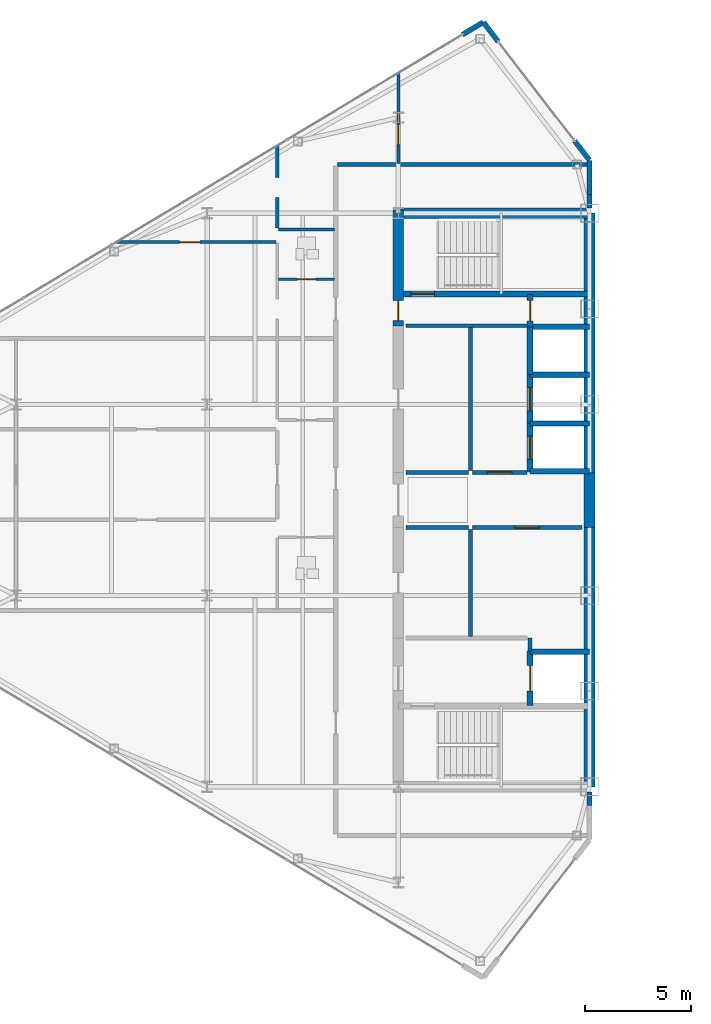
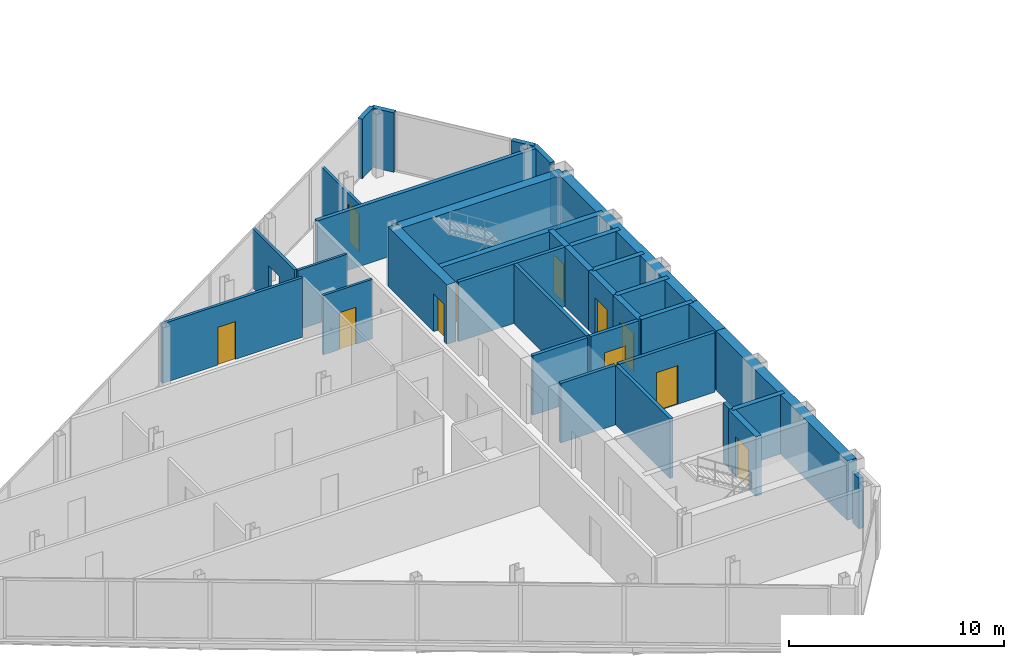
# One storey, part 20 of 25: 36 walls, 11 doors, 12 openings.
"""IFC4 building model written with IfcOpenShell, lengths in metres."""

from ifc_helpers import new_model, si_unit, direction, frame, frame_2d, origin, place, context, subcontext, project, spatial, rectangle, extrude, source, transform, mapped, material, layer, layer_set, type_object, type_shapes, element, fill, save


model = new_model("IFC4")

# Units and contexts
model_context = context("Model", 3, precision=1e-05, world=origin(), true_north=direction((0.0, 1.0)))
body_context = subcontext(model_context, "Body", "Model", "MODEL_VIEW")
ifc_project = project(units=[si_unit("LENGTHUNIT", "METRE"), si_unit("AREAUNIT", "SQUARE_METRE"), si_unit("VOLUMEUNIT", "CUBIC_METRE"), si_unit("PLANEANGLEUNIT", "RADIAN"), si_unit("MASSUNIT", "GRAM", prefix="KILO")], contexts=[model_context])

# Site, building, storey
site_placement = place(None, origin())
site = spatial("IfcSite", under=ifc_project, at=site_placement, CompositionType="ELEMENT")
building_placement = place(site_placement, origin())
building = spatial("IfcBuilding", under=site, at=building_placement, Name="Seokmaru Belvedere", CompositionType="ELEMENT")
storey_placement = place(building_placement, frame((0.0, 0.0, 213.89990234375)))
storey = spatial("IfcBuildingStorey", under=building, at=storey_placement, Name="L57", CompositionType="ELEMENT", Elevation=213.89990234375)

# Wall, opening, door
ifc_material_1 = material(Name="Fire-Rated Gypsum Shaftwall")
ifc_layer_1 = layer(ifc_material_1, 0.14990234375)
ifc_layer_set_1 = layer_set([ifc_layer_1], Name="Fire-Rated Gypsum Shaftwall")
wall_type_1 = type_object("IfcWallType", Name="Apartment Fire-Acoustic Room Partition 150", PredefinedType="PARTITIONING", material=ifc_layer_set_1)
wall_1_placement = place(storey_placement, frame((-49.802001953125, 12.139892578125, 0.0), z_axis=(0.0, 0.0, 1.0), x_axis=(1.0, 0.0, 0.0)))
wall_1 = element("IfcWall", 1, at=wall_1_placement, inside=storey, type_object=wall_type_1, Name="L57 Interior Partition 016", PredefinedType="PARTITIONING", context=body_context, shape_type="SweptSolid", body=[
    extrude(rectangle(XDim=7.552001953125, YDim=0.14990234375, at=frame_2d((3.77587890625, 0.0))), origin(), (0.0, 0.0, 1.0), 3.380126953125),
])
opening_1_placement = place(wall_1_placement, frame((3.001953125, 0.0, 0.0)))
opening_1 = element("IfcOpeningElement", 2, at=opening_1_placement, cuts=wall_1, Name="Opening D05", PredefinedType="OPENING", context=body_context, shape_type="SweptSolid", body=[
    extrude(rectangle(XDim=0.949951171875, YDim=2.14990234375, at=frame_2d((0.47509765625, 1.074951171875))), frame((0.0, 0.0849609375, 0.0), z_axis=(0.0, -1.0, 0.0), x_axis=(1.0, 0.0, 0.0)), (0.0, 0.0, 1.0), 0.169921875),
])
ifc_material_2 = material(Name="Engineered White Oak Timber", Category="wood")
door_type_1 = type_object("IfcDoorType", Name="Apartment Interior Fire-Rated Oak Door 950x2150", OperationType="NOTDEFINED", PredefinedType="DOOR", material=ifc_material_2)
shared_shape_1 = source(origin(), body_context, "Body", "SweptSolid", [
    extrude(rectangle(XDim=0.949951171875, YDim=2.14990234375, at=frame_2d((0.47509765625, 1.074951171875))), frame((0.0, 0.02490234375, 0.0), z_axis=(0.0, -1.0, 0.0), x_axis=(1.0, 0.0, 0.0)), (0.0, 0.0, 1.0), 0.050048828125),
])
type_shapes(door_type_1, [shared_shape_1])
door_1_placement = place(opening_1_placement, origin())
door_1 = element("IfcDoor", 3, at=door_1_placement, inside=storey, type_object=door_type_1, Name="L57 Interior Door 014", OperationType="SINGLE_SWING_RIGHT", OverallHeight=2.14990234375, OverallWidth=0.949951171875, PredefinedType="DOOR", context=body_context, shape_type="MappedRepresentation", body=[
    mapped(shared_shape_1, transform((0.0, 0.0, 0.0), scale=1.0)),
])
fill(opening_1, door_1)

# Wall, opening
wall_2_placement = place(storey_placement, frame((-42.199951171875, 12.794921875, 0.0), z_axis=(0.0, 0.0, 1.0), x_axis=(0.0, 1.0, 0.0)))
wall_2 = element("IfcWall", 4, at=wall_2_placement, inside=storey, type_object=wall_type_1, Name="L57 Interior Partition 024", PredefinedType="PARTITIONING", context=body_context, shape_type="SweptSolid", body=[
    extrude(rectangle(XDim=3.920166015625, YDim=0.14990234375, at=frame_2d((1.9599609375, 0.0))), origin(), (0.0, 0.0, 1.0), 3.380126953125),
])
opening_2_placement = place(wall_2_placement, frame((1.4423828125, 0.0, 0.0)))
element("IfcOpeningElement", 5, at=opening_2_placement, cuts=wall_2, Name="L57 Cased Opening 015", PredefinedType="OPENING", context=body_context, shape_type="SweptSolid", body=[
    extrude(rectangle(XDim=0.949951171875, YDim=2.14990234375, at=frame_2d((0.47509765625, 1.074951171875))), frame((0.0, 0.0849609375, 0.0), z_axis=(0.0, -1.0, 0.0), x_axis=(1.0, 0.0, 0.0)), (0.0, 0.0, 1.0), 0.169921875),
])

# Wall, opening, door
wall_3_placement = place(storey_placement, frame((-36.5, 15.85009765625, 0.0), z_axis=(0.0, 0.0, 1.0), x_axis=(0.0, 1.0, 0.0)))
wall_3 = element("IfcWall", 6, at=wall_3_placement, inside=storey, type_object=wall_type_1, Name="L57 Interior Partition 026", PredefinedType="PARTITIONING", context=body_context, shape_type="SweptSolid", body=[
    extrude(rectangle(XDim=4.284912109375, YDim=0.14990234375, at=frame_2d((2.142578125, 0.0))), origin(), (0.0, 0.0, 1.0), 2.780029296875),
])
opening_3_placement = place(wall_3_placement, frame((0.8779296875, 0.0, 0.0)))
opening_3 = element("IfcOpeningElement", 7, at=opening_3_placement, cuts=wall_3, Name="Opening D05", PredefinedType="OPENING", context=body_context, shape_type="SweptSolid", body=[
    extrude(rectangle(XDim=0.949951171875, YDim=2.14990234375, at=frame_2d((0.47509765625, 1.074951171875))), frame((0.0, 0.0849609375, 0.0), z_axis=(0.0, -1.0, 0.0), x_axis=(1.0, 0.0, 0.0)), (0.0, 0.0, 1.0), 0.169921875),
])
door_2_placement = place(opening_3_placement, origin())
door_2 = element("IfcDoor", 8, at=door_2_placement, inside=storey, type_object=door_type_1, Name="L57 Interior Door 016", OperationType="SINGLE_SWING_RIGHT", OverallHeight=2.14990234375, OverallWidth=0.949951171875, PredefinedType="DOOR", context=body_context, shape_type="MappedRepresentation", body=[
    mapped(shared_shape_1, transform((0.0, 0.0, 0.0), scale=1.0)),
])
fill(opening_3, door_2)

# Walls
ifc_layer_2 = layer(ifc_material_1, 0.179931640625)
ifc_layer_set_2 = layer_set([ifc_layer_2], Name="Fire-Rated Gypsum Shaftwall")
wall_type_2 = type_object("IfcWallType", Name="Core Service Fire Partition 180", PredefinedType="PARTITIONING", material=ifc_layer_set_2)
wall_4_placement = place(storey_placement, frame((-30.300048828125, -7.1201171875, 0.0), z_axis=(0.0, 0.0, 1.0), x_axis=(0.0, 1.0, 0.0)))
element("IfcWall", 9, at=wall_4_placement, inside=storey, type_object=wall_type_2, Name="L57 West Firefighting Lobby East Closure Wall", PredefinedType="PARTITIONING", context=body_context, shape_type="SweptSolid", body=[
    extrude(rectangle(XDim=0.6201171875, YDim=0.179931640625, at=frame_2d((0.31005859375, 0.0))), origin(), (0.0, 0.0, 1.0), 3.380126953125),
])
wall_5_placement = place(storey_placement, frame((-36.14990234375, 8.199951171875, 0.0), z_axis=(0.0, 0.0, 1.0), x_axis=(1.0, 0.0, 0.0)))
element("IfcWall", 10, at=wall_5_placement, inside=storey, type_object=wall_type_2, Name="L57 West Smokeproof Vestibule Partition", PredefinedType="PARTITIONING", context=body_context, shape_type="SweptSolid", body=[
    extrude(rectangle(XDim=5.699951171875, YDim=0.179931640625, at=frame_2d((2.85009765625, 0.0))), origin(), (0.0, 0.0, 1.0), 3.380126953125),
])
wall_6_placement = place(storey_placement, frame((-33.10009765625, -6.419921875, 0.0), z_axis=(0.0, 0.0, 1.0), x_axis=(0.0, 1.0, 0.0)))
element("IfcWall", 11, at=wall_6_placement, inside=storey, type_object=wall_type_2, Name="L57 West South Core Service Back Wall", PredefinedType="PARTITIONING", context=body_context, shape_type="SweptSolid", body=[
    extrude(rectangle(XDim=5.0400390625, YDim=0.179931640625, at=frame_2d((2.52001953125, 0.0))), origin(), (0.0, 0.0, 1.0), 3.380126953125),
])
wall_7_placement = place(storey_placement, frame((-33.10009765625, 1.3798828125, 0.0), z_axis=(0.0, 0.0, 1.0), x_axis=(0.0, 1.0, 0.0)))
element("IfcWall", 12, at=wall_7_placement, inside=storey, type_object=wall_type_2, Name="L57 West North Core Service Back Wall", PredefinedType="PARTITIONING", context=body_context, shape_type="SweptSolid", body=[
    extrude(rectangle(XDim=6.740234375, YDim=0.179931640625, at=frame_2d((3.3701171875, 0.0))), origin(), (0.0, 0.0, 1.0), 3.380126953125),
])

# Wall, opening, door
wall_8_placement = place(storey_placement, frame((-33.02001953125, -1.300048828125, 0.0), z_axis=(0.0, 0.0, 1.0), x_axis=(1.0, 0.0, 0.0)))
wall_8 = element("IfcWall", 13, at=wall_8_placement, inside=storey, type_object=wall_type_2, Name="L57 West South Lift Lobby Foyer Wall", PredefinedType="PARTITIONING", context=body_context, shape_type="SweptSolid", body=[
    extrude(rectangle(XDim=5.169921875, YDim=0.179931640625, at=frame_2d((2.5849609375, 0.0))), origin(), (0.0, 0.0, 1.0), 3.380126953125),
])
opening_4_placement = place(wall_8_placement, frame((2.010009765625, 0.0, 0.0)))
opening_4 = element("IfcOpeningElement", 14, at=opening_4_placement, cuts=wall_8, Name="Opening D02", PredefinedType="OPENING", context=body_context, shape_type="SweptSolid", body=[
    extrude(rectangle(XDim=1.14990234375, YDim=2.199951171875, at=frame_2d((0.574951171875, 1.10009765625))), frame((0.0, 0.10009765625, 0.0), z_axis=(0.0, -1.0, 0.0), x_axis=(1.0, 0.0, 0.0)), (0.0, 0.0, 1.0), 0.199951171875),
])
ifc_material_3 = material(Name="Fire-Rated Steel Leaf", Category="steel")
door_type_2 = type_object("IfcDoorType", Name="Lobby and Vestibule Fire Door 1150x2200", OperationType="NOTDEFINED", PredefinedType="DOOR", material=ifc_material_3)
shared_shape_2 = source(origin(), body_context, "Body", "SweptSolid", [
    extrude(rectangle(XDim=1.14990234375, YDim=2.199951171875, at=frame_2d((0.574951171875, 1.10009765625))), frame((0.0, 0.02490234375, 0.0), z_axis=(0.0, -1.0, 0.0), x_axis=(1.0, 0.0, 0.0)), (0.0, 0.0, 1.0), 0.050048828125),
])
type_shapes(door_type_2, [shared_shape_2])
door_3_placement = place(opening_4_placement, origin())
door_3 = element("IfcDoor", 15, at=door_3_placement, inside=storey, type_object=door_type_2, Name="L57 West South Core Foyer Door", OperationType="SINGLE_SWING_LEFT", OverallHeight=2.199951171875, OverallWidth=1.14990234375, PredefinedType="DOOR", context=body_context, shape_type="MappedRepresentation", body=[
    mapped(shared_shape_2, transform((0.0, 0.0, 0.0), scale=1.0)),
])
fill(opening_4, door_3)

wall_9_placement = place(storey_placement, frame((-33.02001953125, 1.300048828125, 0.0), z_axis=(0.0, 0.0, 1.0), x_axis=(1.0, 0.0, 0.0)))
wall_9 = element("IfcWall", 16, at=wall_9_placement, inside=storey, type_object=wall_type_2, Name="L57 West North Lift Lobby Foyer Wall", PredefinedType="PARTITIONING", context=body_context, shape_type="SweptSolid", body=[
    extrude(rectangle(XDim=2.570068359375, YDim=0.179931640625, at=frame_2d((1.28515625, 0.0))), origin(), (0.0, 0.0, 1.0), 3.380126953125),
])
opening_5_placement = place(wall_9_placement, frame((0.7099609375, 0.0, 0.0)))
opening_5 = element("IfcOpeningElement", 17, at=opening_5_placement, cuts=wall_9, Name="Opening D02", PredefinedType="OPENING", context=body_context, shape_type="SweptSolid", body=[
    extrude(rectangle(XDim=1.14990234375, YDim=2.199951171875, at=frame_2d((0.574951171875, 1.10009765625))), frame((0.0, 0.10009765625, 0.0), z_axis=(0.0, -1.0, 0.0), x_axis=(1.0, 0.0, 0.0)), (0.0, 0.0, 1.0), 0.199951171875),
])
door_4_placement = place(opening_5_placement, origin())
door_4 = element("IfcDoor", 18, at=door_4_placement, inside=storey, type_object=door_type_2, Name="L57 West North Lift Lobby Door", OperationType="SINGLE_SWING_RIGHT", OverallHeight=2.199951171875, OverallWidth=1.14990234375, PredefinedType="DOOR", context=body_context, shape_type="MappedRepresentation", body=[
    mapped(shared_shape_2, transform((0.0, 0.0, 0.0), scale=1.0)),
])
fill(opening_5, door_4)

# Walls
for number, where, z_axis, x_axis, name in (
    (19, (-36.14990234375, -1.300048828125, 0.0), (0.0, 0.0, 1.0), (1.0, 0.0, 0.0), "L57 West Foyer Side Wall S"),
    (20, (-36.14990234375, 1.300048828125, 0.0), (0.0, 0.0, 1.0), (1.0, 0.0, 0.0), "L57 West Foyer Side Wall N"),
):
    element("IfcWall", number, at=place(storey_placement, frame(where, z_axis=z_axis, x_axis=x_axis)), inside=storey, type_object=wall_type_2, Name=name, PredefinedType="PARTITIONING", context=body_context, shape_type="SweptSolid", body=[
        extrude(rectangle(XDim=2.949951171875, YDim=0.179931640625, at=frame_2d((1.47509765625, 0.0))), origin(), (0.0, 0.0, 1.0), 3.380126953125),
    ])
ifc_material_4 = material(Name="Concrete C50 (50 MPa)", Category="concrete")
ifc_layer_3 = layer(ifc_material_4, 0.25)
ifc_layer_set_3 = layer_set([ifc_layer_3], Name="Concrete C50 (50 MPa)")
wall_type_3 = type_object("IfcWallType", Name="Hoistway Transverse Concrete Divider Wall 250", PredefinedType="SHEAR", material=ifc_layer_set_3)
for number, where, z_axis, x_axis, name in (
    (21, (-30.300048828125, -7.14990234375, 0.0), (0.0, 0.0, 1.0), (1.0, 0.0, 0.0), "L57 West Hoistway Divider Core Wall 1"),
    (22, (-30.300048828125, 1.35009765625, 0.0), (0.0, 0.0, 1.0), (1.0, 0.0, 0.0), "L57 West Hoistway Divider Core Wall 2"),
    (23, (-30.300048828125, 3.60009765625, 0.0), (0.0, 0.0, 1.0), (1.0, 0.0, 0.0), "L57 West Hoistway Divider Core Wall 3"),
    (24, (-30.300048828125, 5.89990234375, 0.0), (0.0, 0.0, 1.0), (1.0, 0.0, 0.0), "L57 West Hoistway Divider Core Wall 4"),
    (25, (-30.300048828125, 8.14990234375, 0.0), (0.0, 0.0, 1.0), (1.0, 0.0, 0.0), "L57 West Hoistway Divider Core Wall 5"),
):
    element("IfcWall", number, at=place(storey_placement, frame(where, z_axis=z_axis, x_axis=x_axis)), inside=storey, type_object=wall_type_3, Name=name, PredefinedType="SHEAR", context=body_context, shape_type="SweptSolid", body=[
        extrude(rectangle(XDim=2.800048828125, YDim=0.25, at=frame_2d((1.39990234375, 0.0))), origin(), (0.0, 0.0, 1.0), 3.380126953125),
    ])
ifc_layer_4 = layer(ifc_material_1, 0.199951171875)
ifc_layer_set_4 = layer_set([ifc_layer_4], Name="Fire-Rated Gypsum Shaftwall")
wall_type_4 = type_object("IfcWallType", Name="Inter-Tenancy Fire Compartment Partition 200", PredefinedType="PARTITIONING", material=ifc_layer_set_4)
wall_10_placement = place(storey_placement, frame((-39.364990234375, 15.800048828125, 0.0), z_axis=(0.0, 0.0, 1.0), x_axis=(1.0, 0.0, 0.0)))
element("IfcWall", 26, at=wall_10_placement, inside=storey, type_object=wall_type_4, Name="L57 Interior Partition 018", PredefinedType="PARTITIONING", context=body_context, shape_type="SweptSolid", body=[
    extrude(rectangle(XDim=11.739990234375, YDim=0.199951171875, at=frame_2d((5.8701171875, 0.0))), origin(), (0.0, 0.0, 1.0), 3.380126953125),
])

# Wall, opening, door
ifc_layer_5 = layer(ifc_material_4, 0.300048828125)
ifc_layer_set_5 = layer_set([ifc_layer_5], Name="Concrete C50 (50 MPa)")
wall_type_5 = type_object("IfcWallType", Name="Internal Core Stair and Hoistway Wall 300", PredefinedType="SHEAR", material=ifc_layer_set_5)
wall_11_placement = place(storey_placement, frame((-36.5, 9.699951171875, 0.0), z_axis=(0.0, 0.0, 1.0), x_axis=(1.0, 0.0, 0.0)))
wall_11 = element("IfcWall", 27, at=wall_11_placement, inside=storey, type_object=wall_type_5, Name="L57 West Stair ST-2 Enclosure Wall", PredefinedType="SHEAR", context=body_context, shape_type="SweptSolid", body=[
    extrude(rectangle(XDim=9.0, YDim=0.300048828125, at=frame_2d((4.5, 0.0))), origin(), (0.0, 0.0, 1.0), 3.380126953125),
])
opening_6_placement = place(wall_11_placement, frame((0.60009765625, 0.0, 0.0)))
opening_6 = element("IfcOpeningElement", 28, at=opening_6_placement, cuts=wall_11, Name="Opening D01", PredefinedType="OPENING", context=body_context, shape_type="SweptSolid", body=[
    extrude(rectangle(XDim=1.10009765625, YDim=2.199951171875, at=frame_2d((0.550048828125, 1.10009765625))), frame((0.0, 0.16015625, 0.0), z_axis=(0.0, -1.0, 0.0), x_axis=(1.0, 0.0, 0.0)), (0.0, 0.0, 1.0), 0.320068359375),
])
door_type_3 = type_object("IfcDoorType", Name="Special Escape Stair Smokeproof Fire Door 1100x2200", OperationType="NOTDEFINED", PredefinedType="DOOR", material=ifc_material_3)
shared_shape_3 = source(origin(), body_context, "Body", "SweptSolid", [
    extrude(rectangle(XDim=1.10009765625, YDim=2.199951171875, at=frame_2d((0.550048828125, 1.10009765625))), frame((0.0, 0.02490234375, 0.0), z_axis=(0.0, -1.0, 0.0), x_axis=(1.0, 0.0, 0.0)), (0.0, 0.0, 1.0), 0.050048828125),
])
type_shapes(door_type_3, [shared_shape_3])
door_5_placement = place(opening_6_placement, origin())
door_5 = element("IfcDoor", 29, at=door_5_placement, inside=storey, type_object=door_type_3, Name="L57 West Special Escape Stair ST-2 Door", OperationType="SINGLE_SWING_RIGHT", OverallHeight=2.199951171875, OverallWidth=1.10009765625, PredefinedType="DOOR", context=body_context, shape_type="MappedRepresentation", body=[
    mapped(shared_shape_3, transform((0.0, 0.0, 0.0), scale=1.0)),
])
fill(opening_6, door_5)

wall_12_placement = place(storey_placement, frame((-30.300048828125, -9.679931640625, 0.0), z_axis=(0.0, 0.0, 1.0), x_axis=(0.0, 1.0, 0.0)))
wall_12 = element("IfcWall", 30, at=wall_12_placement, inside=storey, type_object=wall_type_5, Name="L57 West Firefighting Lift Shaft Front Wall", PredefinedType="SHEAR", context=body_context, shape_type="SweptSolid", body=[
    extrude(rectangle(XDim=2.559814453125, YDim=0.300048828125, at=frame_2d((1.27978515625, 0.0))), origin(), (0.0, 0.0, 1.0), 3.380126953125),
])
opening_7_placement = place(wall_12_placement, frame((0.679931640625, 0.0, 0.0)))
opening_7 = element("IfcOpeningElement", 31, at=opening_7_placement, cuts=wall_12, Name="Opening LD2", PredefinedType="OPENING", context=body_context, shape_type="SweptSolid", body=[
    extrude(rectangle(XDim=1.199951171875, YDim=2.25, at=frame_2d((0.60009765625, 1.125))), frame((0.0, 0.16015625, 0.0), z_axis=(0.0, -1.0, 0.0), x_axis=(1.0, 0.0, 0.0)), (0.0, 0.0, 1.0), 0.320068359375),
])
ifc_material_5 = material(Name="Stainless Steel 316", Category="steel")
door_type_4 = type_object("IfcDoorType", Name="Firefighting Lift Sliding Landing Door 1200x2250", OperationType="DOUBLE_DOOR_SLIDING", PredefinedType="DOOR", material=ifc_material_5)
shared_shape_4 = source(origin(), body_context, "Body", "SweptSolid", [
    extrude(rectangle(XDim=1.199951171875, YDim=2.25, at=frame_2d((0.60009765625, 1.125))), frame((0.0, 0.02490234375, 0.0), z_axis=(0.0, -1.0, 0.0), x_axis=(1.0, 0.0, 0.0)), (0.0, 0.0, 1.0), 0.050048828125),
])
type_shapes(door_type_4, [shared_shape_4])
door_6_placement = place(opening_7_placement, origin())
door_6 = element("IfcDoor", 32, at=door_6_placement, inside=storey, type_object=door_type_4, Name="L57 West Firefighting Lift Landing Door", OperationType="DOUBLE_DOOR_SLIDING", OverallHeight=2.25, OverallWidth=1.199951171875, PredefinedType="DOOR", context=body_context, shape_type="MappedRepresentation", body=[
    mapped(shared_shape_4, transform((0.0, 0.0, 0.0), scale=1.0)),
])
fill(opening_7, door_6)

wall_13_placement = place(storey_placement, frame((-30.300048828125, 1.320068359375, 0.0), z_axis=(0.0, 0.0, 1.0), x_axis=(0.0, 1.0, 0.0)))
wall_13 = element("IfcWall", 33, at=wall_13_placement, inside=storey, type_object=wall_type_5, Name="L57 West North Hoistway Wall PH1", PredefinedType="SHEAR", context=body_context, shape_type="SweptSolid", body=[
    extrude(rectangle(XDim=2.280029296875, YDim=0.300048828125, at=frame_2d((1.14013671875, 0.0))), origin(), (0.0, 0.0, 1.0), 3.380126953125),
])
opening_8_placement = place(wall_13_placement, frame((0.590087890625, 0.0, 0.0)))
opening_8 = element("IfcOpeningElement", 34, at=opening_8_placement, cuts=wall_13, Name="Opening LD1", PredefinedType="OPENING", context=body_context, shape_type="SweptSolid", body=[
    extrude(rectangle(XDim=1.10009765625, YDim=2.199951171875, at=frame_2d((0.550048828125, 1.10009765625))), frame((0.0, 0.16015625, 0.0), z_axis=(0.0, -1.0, 0.0), x_axis=(1.0, 0.0, 0.0)), (0.0, 0.0, 1.0), 0.320068359375),
])
door_type_5 = type_object("IfcDoorType", Name="Passenger Lift Sliding Landing Door 1100x2200", OperationType="DOUBLE_DOOR_SLIDING", PredefinedType="DOOR", material=ifc_material_5)
shared_shape_5 = source(origin(), body_context, "Body", "SweptSolid", [
    extrude(rectangle(XDim=1.10009765625, YDim=2.199951171875, at=frame_2d((0.550048828125, 1.10009765625))), frame((0.0, 0.02490234375, 0.0), z_axis=(0.0, -1.0, 0.0), x_axis=(1.0, 0.0, 0.0)), (0.0, 0.0, 1.0), 0.050048828125),
])
type_shapes(door_type_5, [shared_shape_5])
door_7_placement = place(opening_8_placement, origin())
door_7 = element("IfcDoor", 35, at=door_7_placement, inside=storey, type_object=door_type_5, Name="L57 West High-Rise Lift PH-1 Landing Door", OperationType="DOUBLE_DOOR_SLIDING", OverallHeight=2.199951171875, OverallWidth=1.10009765625, PredefinedType="DOOR", context=body_context, shape_type="MappedRepresentation", body=[
    mapped(shared_shape_5, transform((0.0, 0.0, 0.0), scale=1.0)),
])
fill(opening_8, door_7)

wall_14_placement = place(storey_placement, frame((-30.300048828125, 3.60009765625, 0.0), z_axis=(0.0, 0.0, 1.0), x_axis=(0.0, 1.0, 0.0)))
wall_14 = element("IfcWall", 36, at=wall_14_placement, inside=storey, type_object=wall_type_5, Name="L57 West North Hoistway Wall PH2", PredefinedType="SHEAR", context=body_context, shape_type="SweptSolid", body=[
    extrude(rectangle(XDim=2.2998046875, YDim=0.300048828125, at=frame_2d((1.14990234375, 0.0))), origin(), (0.0, 0.0, 1.0), 3.380126953125),
])
opening_9_placement = place(wall_14_placement, frame((0.60009765625, 0.0, 0.0)))
opening_9 = element("IfcOpeningElement", 37, at=opening_9_placement, cuts=wall_14, Name="Opening LD1", PredefinedType="OPENING", context=body_context, shape_type="SweptSolid", body=[
    extrude(rectangle(XDim=1.10009765625, YDim=2.199951171875, at=frame_2d((0.550048828125, 1.10009765625))), frame((0.0, 0.16015625, 0.0), z_axis=(0.0, -1.0, 0.0), x_axis=(1.0, 0.0, 0.0)), (0.0, 0.0, 1.0), 0.320068359375),
])
door_8_placement = place(opening_9_placement, origin())
door_8 = element("IfcDoor", 38, at=door_8_placement, inside=storey, type_object=door_type_5, Name="L57 West High-Rise Lift PH-2 Landing Door", OperationType="DOUBLE_DOOR_SLIDING", OverallHeight=2.199951171875, OverallWidth=1.10009765625, PredefinedType="DOOR", context=body_context, shape_type="MappedRepresentation", body=[
    mapped(shared_shape_5, transform((0.0, 0.0, 0.0), scale=1.0)),
])
fill(opening_9, door_8)

# Wall
wall_15_placement = place(storey_placement, frame((-30.300048828125, 5.89990234375, 0.0), z_axis=(0.0, 0.0, 1.0), x_axis=(0.0, 1.0, 0.0)))
element("IfcWall", 39, at=wall_15_placement, inside=storey, type_object=wall_type_5, Name="L57 West North Hoistway Wall OBS", PredefinedType="SHEAR", context=body_context, shape_type="SweptSolid", body=[
    extrude(rectangle(XDim=2.25, YDim=0.300048828125, at=frame_2d((1.125, 0.0))), origin(), (0.0, 0.0, 1.0), 3.380126953125),
])

# Wall, opening, door
wall_16_placement = place(storey_placement, frame((-30.300048828125, 8.14990234375, 0.0), z_axis=(0.0, 0.0, 1.0), x_axis=(0.0, 1.0, 0.0)))
wall_16 = element("IfcWall", 40, at=wall_16_placement, inside=storey, type_object=wall_type_5, Name="L57 West Electrical Riser Front Wall", PredefinedType="SHEAR", context=body_context, shape_type="SweptSolid", body=[
    extrude(rectangle(XDim=1.530029296875, YDim=0.300048828125, at=frame_2d((0.76513671875, 0.0))), origin(), (0.0, 0.0, 1.0), 3.380126953125),
])
opening_10_placement = place(wall_16_placement, frame((0.284912109375, 0.0, 0.0)))
opening_10 = element("IfcOpeningElement", 41, at=opening_10_placement, cuts=wall_16, Name="Opening D04", PredefinedType="OPENING", context=body_context, shape_type="SweptSolid", body=[
    extrude(rectangle(XDim=0.949951171875, YDim=2.14990234375, at=frame_2d((0.47509765625, 1.074951171875))), frame((0.0, 0.16015625, 0.0), z_axis=(0.0, -1.0, 0.0), x_axis=(1.0, 0.0, 0.0)), (0.0, 0.0, 1.0), 0.320068359375),
])
door_type_6 = type_object("IfcDoorType", Name="Core Service Room Fire Door 950x2150", OperationType="NOTDEFINED", PredefinedType="DOOR", material=ifc_material_3)
shared_shape_6 = source(origin(), body_context, "Body", "SweptSolid", [
    extrude(rectangle(XDim=0.949951171875, YDim=2.14990234375, at=frame_2d((0.47509765625, 1.074951171875))), frame((0.0, 0.02490234375, 0.0), z_axis=(0.0, -1.0, 0.0), x_axis=(1.0, 0.0, 0.0)), (0.0, 0.0, 1.0), 0.050048828125),
])
type_shapes(door_type_6, [shared_shape_6])
door_9_placement = place(opening_10_placement, origin())
door_9 = element("IfcDoor", 42, at=door_9_placement, inside=storey, type_object=door_type_6, Name="L57 West Electrical Riser Access Door", OperationType="SINGLE_SWING_LEFT", OverallHeight=2.14990234375, OverallWidth=0.949951171875, PredefinedType="DOOR", context=body_context, shape_type="MappedRepresentation", body=[
    mapped(shared_shape_6, transform((0.0, 0.0, 0.0), scale=1.0)),
])
fill(opening_10, door_9)

ifc_layer_6 = layer(ifc_material_1, 0.1298828125)
ifc_layer_set_6 = layer_set([ifc_layer_6], Name="Fire-Rated Gypsum Shaftwall")
wall_type_6 = type_object("IfcWallType", Name="Moisture-Resistant Fire-Rated Bathroom Partition 130", PredefinedType="PARTITIONING", material=ifc_layer_set_6)
wall_17_placement = place(storey_placement, frame((-42.14990234375, 10.389892578125, 0.0), z_axis=(0.0, 0.0, 1.0), x_axis=(1.0, 0.0, 0.0)))
wall_17 = element("IfcWall", 43, at=wall_17_placement, inside=storey, type_object=wall_type_6, Name="L57 Interior Partition 015", PredefinedType="PARTITIONING", context=body_context, shape_type="SweptSolid", body=[
    extrude(rectangle(XDim=2.64990234375, YDim=0.1298828125, at=frame_2d((1.324951171875, 0.0))), origin(), (0.0, 0.0, 1.0), 3.380126953125),
])
opening_11_placement = place(wall_17_placement, frame((0.885009765625, 0.0, 0.0)))
opening_11 = element("IfcOpeningElement", 44, at=opening_11_placement, cuts=wall_17, Name="Opening D06", PredefinedType="OPENING", context=body_context, shape_type="SweptSolid", body=[
    extrude(rectangle(XDim=0.8798828125, YDim=2.10009765625, at=frame_2d((0.43994140625, 1.050048828125))), frame((0.0, 0.074951171875, 0.0), z_axis=(0.0, -1.0, 0.0), x_axis=(1.0, 0.0, 0.0)), (0.0, 0.0, 1.0), 0.14990234375),
])
door_type_7 = type_object("IfcDoorType", Name="Bathroom and Restroom Fire-Rated Door 880x2100", OperationType="NOTDEFINED", PredefinedType="DOOR", material=ifc_material_2)
shared_shape_7 = source(origin(), body_context, "Body", "SweptSolid", [
    extrude(rectangle(XDim=0.8798828125, YDim=2.10009765625, at=frame_2d((0.43994140625, 1.050048828125))), frame((0.0, 0.02490234375, 0.0), z_axis=(0.0, -1.0, 0.0), x_axis=(1.0, 0.0, 0.0)), (0.0, 0.0, 1.0), 0.050048828125),
])
type_shapes(door_type_7, [shared_shape_7])
door_10_placement = place(opening_11_placement, origin())
door_10 = element("IfcDoor", 45, at=door_10_placement, inside=storey, type_object=door_type_7, Name="L57 Interior Door 012", OperationType="SINGLE_SWING_LEFT", OverallHeight=2.10009765625, OverallWidth=0.8798828125, PredefinedType="DOOR", context=body_context, shape_type="MappedRepresentation", body=[
    mapped(shared_shape_7, transform((0.0, 0.0, 0.0), scale=1.0)),
])
fill(opening_11, door_10)

# Walls
wall_18_placement = place(storey_placement, frame((-42.14990234375, 12.739990234375, 0.0), z_axis=(0.0, 0.0, 1.0), x_axis=(1.0, 0.0, 0.0)))
element("IfcWall", 46, at=wall_18_placement, inside=storey, type_object=wall_type_6, Name="L57 Interior Partition 017", PredefinedType="PARTITIONING", context=body_context, shape_type="SweptSolid", body=[
    extrude(rectangle(XDim=2.64990234375, YDim=0.1298828125, at=frame_2d((1.324951171875, 0.0))), origin(), (0.0, 0.0, 1.0), 3.380126953125),
])
ifc_material_6 = material(Name="Anodised Bronze Aluminium", Category="aluminium")
ifc_layer_7 = layer(ifc_material_6, 0.239990234375)
ifc_layer_set_7 = layer_set([ifc_layer_7], Name="Anodised Bronze Aluminium")
wall_type_7 = type_object("IfcWallType", Name="Tower Corner Spandrel Closure Wall 240", PredefinedType="SOLIDWALL", material=ifc_layer_set_7)
for number, where, z_axis, x_axis, name in (
    (47, (-27.5, -14.374755859375, 0.0), (0.0, 0.0, 1.0), (0.0, 1.0, 0.0), "L57 W Shoulder Closure Wall 1 Part 2"),
    (48, (-27.5, 13.7548828125, 0.0), (0.0, 0.0, 1.0), (0.0, 1.0, 0.0), "L57 W Shoulder Closure Wall 2"),
):
    element("IfcWall", number, at=place(storey_placement, frame(where, z_axis=z_axis, x_axis=x_axis)), inside=storey, type_object=wall_type_7, Name=name, PredefinedType="SOLIDWALL", context=body_context, shape_type="SweptSolid", body=[
        extrude(rectangle(XDim=0.619873046875, YDim=0.239990234375, at=frame_2d((0.31005859375, 0.0))), origin(), (0.0, 0.0, 1.0), 2.880126953125),
    ])
wall_19_placement = place(storey_placement, frame((-27.5, 14.374755859375, 0.0), z_axis=(0.0, 0.0, 1.0), x_axis=(0.0, 1.0, 0.0)))
element("IfcWall", 49, at=wall_19_placement, inside=storey, type_object=wall_type_7, Name="L57 W Shoulder Closure Wall 2 Part 2", PredefinedType="SOLIDWALL", context=body_context, shape_type="SweptSolid", body=[
    extrude(rectangle(XDim=1.605224609375, YDim=0.239990234375, at=frame_2d((0.802734375, 0.0))), origin(), (0.0, 0.0, 1.0), 3.380126953125),
])
for number, where, z_axis, x_axis, name in (
    (50, (-27.506103515625, 16.0078125, 0.0), (0.0, 0.0, 1.0), (-0.609617623633, 0.792695624408, 0.0), "L57 W Corner Closure Pier 2A"),
    (51, (-31.798828125, 21.58837890625, 0.0), (0.0, 0.0, 1.0), (-0.609617623633, 0.792695624408, 0.0), "L57 W Corner Closure Pier 2B"),
    (52, (-32.508544921875, 22.494873046875, 0.0), (0.0, 0.0, 1.0), (-0.85743623509, -0.514590228002, 0.0), "L57 W Corner Closure Pier 3A"),
):
    element("IfcWall", number, at=place(storey_placement, frame(where, z_axis=z_axis, x_axis=x_axis)), inside=storey, type_object=wall_type_7, Name=name, PredefinedType="SOLIDWALL", context=body_context, shape_type="SweptSolid", body=[
        extrude(rectangle(XDim=1.14013671875, YDim=0.239990234375, at=frame_2d((0.570068359375, 0.0))), origin(), (0.0, 0.0, 1.0), 3.380126953125),
    ])
ifc_layer_8 = layer(ifc_material_4, 0.5)
ifc_layer_set_8 = layer_set([ifc_layer_8], Name="Concrete C50 (50 MPa)")
wall_type_8 = type_object("IfcWallType", Name="Upper Tower Reinforced Concrete Core Wall 500", PredefinedType="SHEAR", material=ifc_layer_set_8)
for number, where, z_axis, x_axis, name in (
    (53, (-27.5, -13.5, 0.0), (0.0, 0.0, 1.0), (0.0, 1.0, 0.0), "L57 West Portal Spine Core Wall South"),
    (54, (-27.5, 1.300048828125, 0.0), (0.0, 0.0, 1.0), (0.0, 1.0, 0.0), "L57 West Portal Spine Core Wall North"),
):
    element("IfcWall", number, at=place(storey_placement, frame(where, z_axis=z_axis, x_axis=x_axis)), inside=storey, type_object=wall_type_8, Name=name, PredefinedType="SHEAR", context=body_context, shape_type="SweptSolid", body=[
        extrude(rectangle(XDim=12.199951171875, YDim=0.5, at=frame_2d((6.10009765625, 0.0))), origin(), (0.0, 0.0, 1.0), 3.380126953125),
    ])
wall_20_placement = place(storey_placement, frame((-27.5, -1.300048828125, 0.0), z_axis=(0.0, 0.0, 1.0), x_axis=(0.0, 1.0, 0.0)))
element("IfcWall", 55, at=wall_20_placement, inside=storey, type_object=wall_type_8, Name="L57 West Portal Spine Core Wall Center", PredefinedType="SHEAR", context=body_context, shape_type="SweptSolid", body=[
    extrude(rectangle(XDim=2.60009765625, YDim=0.5, at=frame_2d((1.300048828125, 0.0))), origin(), (0.0, 0.0, 1.0), 3.380126953125),
])
wall_21_placement = place(storey_placement, frame((-36.5, 13.5, 0.0), z_axis=(0.0, 0.0, 1.0), x_axis=(1.0, 0.0, 0.0)))
element("IfcWall", 56, at=wall_21_placement, inside=storey, type_object=wall_type_8, Name="L57 West North Core Wall", PredefinedType="SHEAR", context=body_context, shape_type="SweptSolid", body=[
    extrude(rectangle(XDim=9.0, YDim=0.5, at=frame_2d((4.5, 0.0))), origin(), (0.0, 0.0, 1.0), 3.380126953125),
])

# Wall, opening, door
wall_22_placement = place(storey_placement, frame((-36.5, 8.199951171875, 0.0), z_axis=(0.0, 0.0, 1.0), x_axis=(0.0, 1.0, 0.0)))
wall_22 = element("IfcWall", 57, at=wall_22_placement, inside=storey, type_object=wall_type_8, Name="L57 West West Core Wall VST", PredefinedType="SHEAR", context=body_context, shape_type="SweptSolid", body=[
    extrude(rectangle(XDim=5.449951171875, YDim=0.5, at=frame_2d((2.72509765625, 0.0))), origin(), (0.0, 0.0, 1.0), 3.380126953125),
])
opening_12_placement = place(wall_22_placement, frame((0.2451171875, 0.0, 0.0)))
opening_12 = element("IfcOpeningElement", 58, at=opening_12_placement, cuts=wall_22, Name="Opening D04", PredefinedType="OPENING", context=body_context, shape_type="SweptSolid", body=[
    extrude(rectangle(XDim=0.949951171875, YDim=2.14990234375, at=frame_2d((0.47509765625, 1.074951171875))), frame((0.0, 0.260009765625, 0.0), z_axis=(0.0, -1.0, 0.0), x_axis=(1.0, 0.0, 0.0)), (0.0, 0.0, 1.0), 0.52001953125),
])
door_11_placement = place(opening_12_placement, frame((0.949951171875, 0.0, 0.0), z_axis=(0.0, 0.0, 1.0), x_axis=(-1.0, 0.0, 0.0)))
door_11 = element("IfcDoor", 59, at=door_11_placement, inside=storey, type_object=door_type_6, Name="L57 West Smokeproof Vestibule Door", OperationType="SINGLE_SWING_RIGHT", OverallHeight=2.14990234375, OverallWidth=0.949951171875, PredefinedType="DOOR", context=body_context, shape_type="MappedRepresentation", body=[
    mapped(shared_shape_6, transform((0.0, 0.0, 0.0), scale=1.0)),
])
fill(opening_12, door_11)

save(model, "model.ifc")
